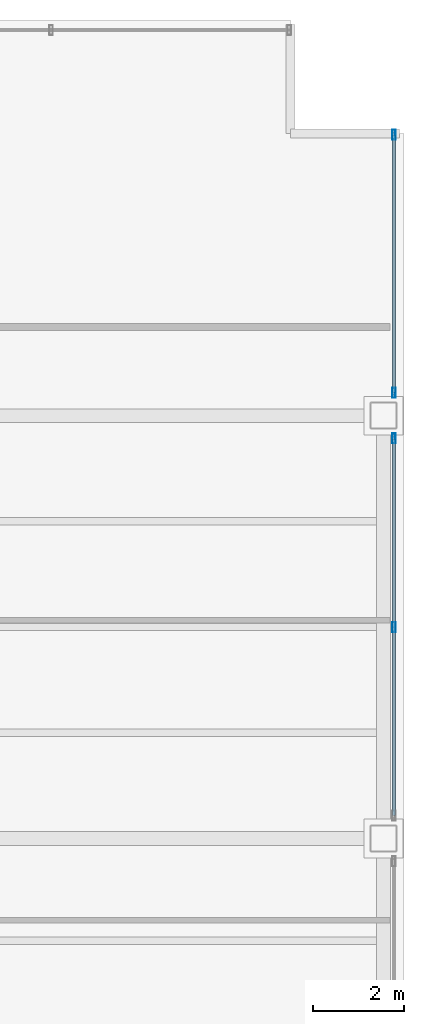
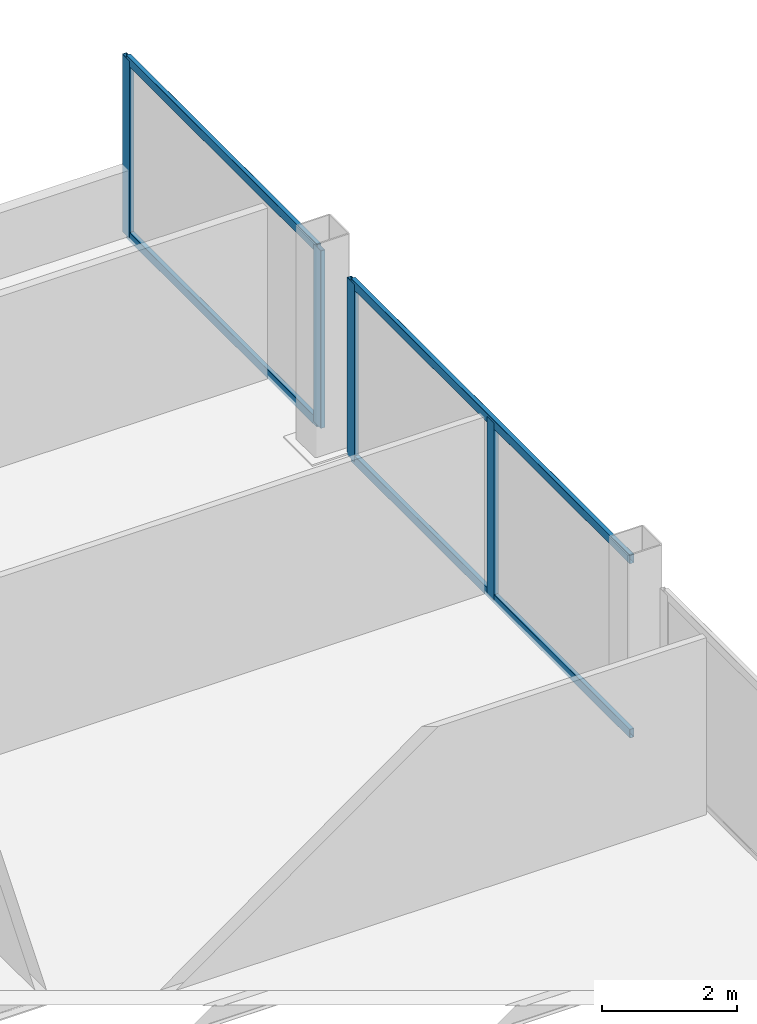
# One storey, part 12 of 20: 8 members, 2 elements without a shape of their own.
"""IFC4 building model written with IfcOpenShell, lengths in metres."""

from ifc_helpers import new_model, si_unit, direction, frame, origin, origin_2d, place, context, subcontext, project, spatial, hollow_rectangle, extrude, material, material_profile, profile_set, type_object, element, aggregate, save


model = new_model("IFC4")

# Units and contexts
model_context = context("Model", 3, precision=1e-05, world=origin(), true_north=direction((0.0, 1.0)))
body_context = subcontext(model_context, "Body", "Model", "MODEL_VIEW")
ifc_project = project(units=[si_unit("LENGTHUNIT", "METRE"), si_unit("AREAUNIT", "SQUARE_METRE"), si_unit("VOLUMEUNIT", "CUBIC_METRE"), si_unit("PLANEANGLEUNIT", "RADIAN"), si_unit("MASSUNIT", "GRAM", prefix="KILO")], contexts=[model_context])

# Site, building, storey
site_placement = place(None, origin())
site = spatial("IfcSite", under=ifc_project, at=site_placement, CompositionType="ELEMENT")
building_placement = place(site_placement, origin())
building = spatial("IfcBuilding", under=site, at=building_placement, Name="Noeulbin Bourse Tower", CompositionType="ELEMENT")
storey_placement = place(building_placement, frame((0.0, 0.0, 61.60009765625)))
storey = spatial("IfcBuildingStorey", under=building, at=storey_placement, Name="L15", CompositionType="ELEMENT", Elevation=61.60009765625)

# Curtain wall, members
ifc_material_1 = material(Name="Dark Solar-Control Double Glazing", Category="glass")
curtain_wall_type = type_object("IfcCurtainWallType", Name="CW-SYS-2", PredefinedType="NOTDEFINED", material=ifc_material_1)
curtain_wall_1_placement = place(storey_placement, origin())
curtain_wall_1 = element("IfcCurtainWall", 1, at=curtain_wall_1_placement, inside=storey, type_object=curtain_wall_type, Name="Unitised Curtain Wall CW-L15-E-S3", PredefinedType="NOTDEFINED")
ifc_material_2 = material(Name="Anodised Aluminium 6063-T6", Category="aluminium")
ifc_material_profile_1 = material_profile(ifc_material_2, hollow_rectangle(XDim=0.074951171875, YDim=0.219970703125, WallThickness=0.0048828125, InnerFilletRadius=0.00244140625, OuterFilletRadius=0.0048828125, at=origin_2d()), Name="ALU-MULL-75x220x5", Category="LoadBearing")
ifc_profile_set_1 = profile_set([ifc_material_profile_1], Name="Anodised Aluminium 6063-T6")
member_type_1 = type_object("IfcMemberType", Name="CW-SYS-2-MUL", PredefinedType="MULLION", material=ifc_profile_set_1)
member_1_placement = place(storey_placement, frame((57.280029296875, 33.64990234375, -0.02001953125), z_axis=(0.0, 0.0, 1.0), x_axis=(1.0, 0.0, 0.0)))
member_1 = element("IfcMember", 2, at=member_1_placement, type_object=member_type_1, Name="Curtain Wall Mullion CW-L15-E-S3-M01", PredefinedType="MULLION", context=body_context, shape_type="SweptSolid", body=[
    extrude(hollow_rectangle(XDim=0.074951171875, YDim=0.219970703125, WallThickness=0.0048828125, InnerFilletRadius=0.00244140625, OuterFilletRadius=0.0048828125, at=origin_2d()), origin(), (0.0, 0.0, 1.0), 3.219970703125),
])
member_2_placement = place(storey_placement, frame((57.280029296875, 37.800048828125, -0.02001953125), z_axis=(0.0, 0.0, 1.0), x_axis=(1.0, 0.0, 0.0)))
member_2 = element("IfcMember", 3, at=member_2_placement, type_object=member_type_1, Name="Curtain Wall Mullion CW-L15-E-S3-M02", PredefinedType="MULLION", context=body_context, shape_type="SweptSolid", body=[
    extrude(hollow_rectangle(XDim=0.074951171875, YDim=0.219970703125, WallThickness=0.0048828125, InnerFilletRadius=0.00244140625, OuterFilletRadius=0.0048828125, at=origin_2d()), origin(), (0.0, 0.0, 1.0), 3.219970703125),
])

curtain_wall_2_placement = place(storey_placement, origin())
curtain_wall_2 = element("IfcCurtainWall", 4, at=curtain_wall_2_placement, inside=storey, type_object=curtain_wall_type, Name="Unitised Curtain Wall CW-L15-E-S4", PredefinedType="NOTDEFINED")
member_3_placement = place(storey_placement, frame((57.280029296875, 38.800048828125, -0.02001953125), z_axis=(0.0, 0.0, 1.0), x_axis=(1.0, 0.0, 0.0)))
member_3 = element("IfcMember", 5, at=member_3_placement, type_object=member_type_1, Name="Curtain Wall Mullion CW-L15-E-S4-M00", PredefinedType="MULLION", context=body_context, shape_type="SweptSolid", body=[
    extrude(hollow_rectangle(XDim=0.074951171875, YDim=0.219970703125, WallThickness=0.0048828125, InnerFilletRadius=0.00244140625, OuterFilletRadius=0.0048828125, at=origin_2d()), origin(), (0.0, 0.0, 1.0), 3.219970703125),
])
member_4_placement = place(storey_placement, frame((57.280029296875, 44.47998046875, -0.02001953125), z_axis=(0.0, 0.0, 1.0), x_axis=(1.0, 0.0, 0.0)))
member_4 = element("IfcMember", 6, at=member_4_placement, type_object=member_type_1, Name="Curtain Wall Mullion CW-L15-E-S4-M01", PredefinedType="MULLION", context=body_context, shape_type="SweptSolid", body=[
    extrude(hollow_rectangle(XDim=0.074951171875, YDim=0.219970703125, WallThickness=0.0048828125, InnerFilletRadius=0.00244140625, OuterFilletRadius=0.0048828125, at=origin_2d()), origin(), (0.0, 0.0, 1.0), 3.219970703125),
])

# Member
ifc_material_profile_2 = material_profile(ifc_material_2, hollow_rectangle(XDim=0.074951171875, YDim=0.159912109375, WallThickness=0.0048828125, InnerFilletRadius=0.00244140625, OuterFilletRadius=0.0048828125, at=origin_2d()), Name="ALU-TRAN-75x160x5", Category="LoadBearing")
ifc_profile_set_2 = profile_set([ifc_material_profile_2], Name="Anodised Aluminium 6063-T6")
member_type_2 = type_object("IfcMemberType", Name="CW-SYS-2-TRN", PredefinedType="USERDEFINED", material=ifc_profile_set_2)
member_5_placement = place(storey_placement, frame((57.280029296875, 29.510009765625, 0.010009765625), z_axis=(0.0, 1.0, 0.0), x_axis=(-1.0, 0.0, 0.0)))
member_5 = element("IfcMember", 7, at=member_5_placement, type_object=member_type_2, Name="Curtain Wall Transom CW-L15-E-S3-T00", ObjectType="TRANSOM", PredefinedType="USERDEFINED", context=body_context, shape_type="SweptSolid", body=[
    extrude(hollow_rectangle(XDim=0.074951171875, YDim=0.159912109375, WallThickness=0.0048828125, InnerFilletRadius=0.00244140625, OuterFilletRadius=0.0048828125, at=origin_2d()), origin(), (0.0, 0.0, 1.0), 8.280029296875),
])

member_6_placement = place(storey_placement, frame((57.280029296875, 29.510009765625, 3.169921875), z_axis=(0.0, 1.0, 0.0), x_axis=(-1.0, 0.0, 0.0)))
member_6 = element("IfcMember", 8, at=member_6_placement, type_object=member_type_2, Name="Curtain Wall Transom CW-L15-E-S3-T01", ObjectType="TRANSOM", PredefinedType="USERDEFINED", context=body_context, shape_type="SweptSolid", body=[
    extrude(hollow_rectangle(XDim=0.074951171875, YDim=0.159912109375, WallThickness=0.0048828125, InnerFilletRadius=0.00244140625, OuterFilletRadius=0.0048828125, at=origin_2d()), origin(), (0.0, 0.0, 1.0), 8.280029296875),
])

aggregate(curtain_wall_1, [member_1, member_2, member_5, member_6])

member_7_placement = place(storey_placement, frame((57.280029296875, 38.81005859375, 0.010009765625), z_axis=(0.0, 1.0, 0.0), x_axis=(-1.0, 0.0, 0.0)))
member_7 = element("IfcMember", 9, at=member_7_placement, type_object=member_type_2, Name="Curtain Wall Transom CW-L15-E-S4-T00", ObjectType="TRANSOM", PredefinedType="USERDEFINED", context=body_context, shape_type="SweptSolid", body=[
    extrude(hollow_rectangle(XDim=0.074951171875, YDim=0.159912109375, WallThickness=0.0048828125, InnerFilletRadius=0.00244140625, OuterFilletRadius=0.0048828125, at=origin_2d()), origin(), (0.0, 0.0, 1.0), 5.659912109375),
])

member_8_placement = place(storey_placement, frame((57.280029296875, 38.81005859375, 3.169921875), z_axis=(0.0, 1.0, 0.0), x_axis=(-1.0, 0.0, 0.0)))
member_8 = element("IfcMember", 10, at=member_8_placement, type_object=member_type_2, Name="Curtain Wall Transom CW-L15-E-S4-T01", ObjectType="TRANSOM", PredefinedType="USERDEFINED", context=body_context, shape_type="SweptSolid", body=[
    extrude(hollow_rectangle(XDim=0.074951171875, YDim=0.159912109375, WallThickness=0.0048828125, InnerFilletRadius=0.00244140625, OuterFilletRadius=0.0048828125, at=origin_2d()), origin(), (0.0, 0.0, 1.0), 5.659912109375),
])

aggregate(curtain_wall_2, [member_3, member_4, member_7, member_8])

save(model, "model.ifc")
